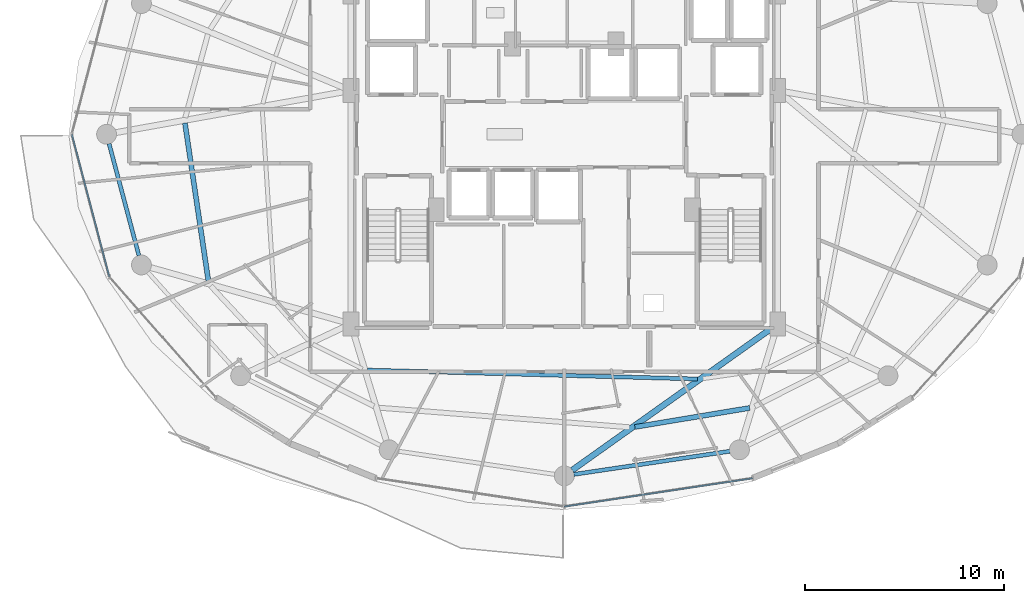
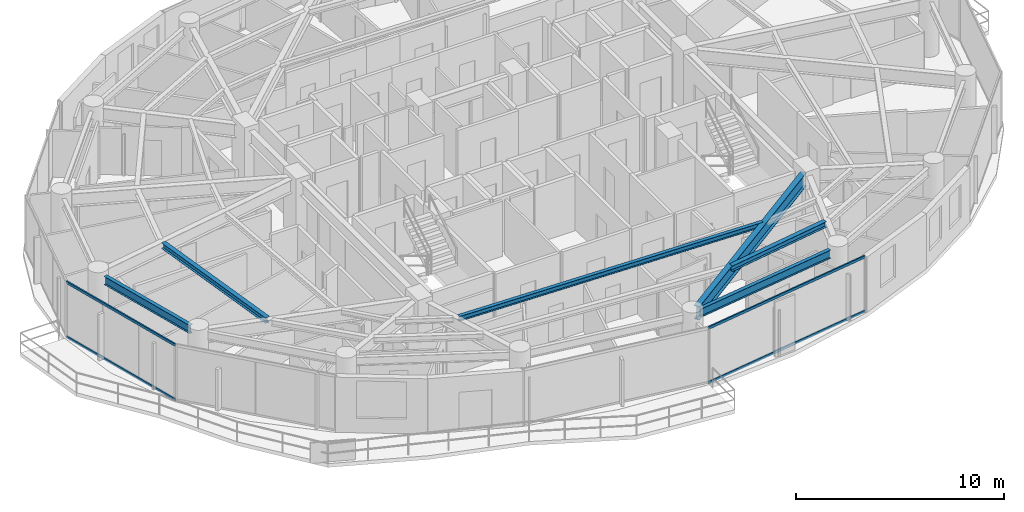
# One storey, part 5 of 28: 6 beams, 4 members, 2 elements without a shape of their own.
"""IFC4 building model written with IfcOpenShell, lengths in metres."""

from ifc_helpers import new_model, si_unit, direction, frame, origin, origin_2d, place, context, subcontext, project, spatial, hollow_rectangle, i_section, extrude, material, material_profile, profile_set, type_object, element, aggregate, save


model = new_model("IFC4")

# Units and contexts
model_context = context("Model", 3, precision=1e-05, world=origin(), true_north=direction((0.0, 1.0)))
body_context = subcontext(model_context, "Body", "Model", "MODEL_VIEW")
ifc_project = project(units=[si_unit("LENGTHUNIT", "METRE"), si_unit("AREAUNIT", "SQUARE_METRE"), si_unit("VOLUMEUNIT", "CUBIC_METRE"), si_unit("PLANEANGLEUNIT", "RADIAN"), si_unit("MASSUNIT", "GRAM", prefix="KILO")], contexts=[model_context])

# Site, building, storey
site_placement = place(None, origin())
site = spatial("IfcSite", under=ifc_project, at=site_placement, CompositionType="ELEMENT")
building_placement = place(site_placement, origin())
building = spatial("IfcBuilding", under=site, at=building_placement, Name="Vorneva Point Tower", CompositionType="ELEMENT")
storey_placement = place(building_placement, frame((0.0, 0.0, 160.60009765625)))
storey = spatial("IfcBuildingStorey", under=building, at=storey_placement, Name="L43", CompositionType="ELEMENT", Elevation=160.60009765625)

# Beams
ifc_material_1 = material(Name="Steel S355", Category="steel")
ifc_material_profile_1 = material_profile(ifc_material_1, i_section(OverallWidth=0.300048828125, OverallDepth=0.7880859375, WebThickness=0.014404296875, FlangeThickness=0.02197265625, at=origin_2d()), Name="80Sh1")
ifc_profile_set_1 = profile_set([ifc_material_profile_1], Name="Steel S355")
beam_type_1 = type_object("IfcBeamType", Name="BM-GRD-80Sh1", PredefinedType="USERDEFINED", material=ifc_profile_set_1)
beam_1_placement = place(storey_placement, frame((38.397705078125, 9.0830078125, 2.845947265625), z_axis=(0.814751382529, 0.579810473057, 0.0), x_axis=(-0.579810473057, 0.814751382529, 0.0)))
element("IfcBeam", 1, at=beam_1_placement, inside=storey, type_object=beam_type_1, Name="L43 Radial Primary Girder 13", ObjectType="GIRDER", PredefinedType="USERDEFINED", context=body_context, shape_type="SweptSolid", body=[
    extrude(i_section(OverallWidth=0.300048828125, OverallDepth=0.7880859375, WebThickness=0.014404296875, FlangeThickness=0.02197265625, at=origin_2d()), origin(), (0.0, 0.0, 1.0), 12.365966796875),
])
ifc_material_profile_2 = material_profile(ifc_material_1, i_section(OverallWidth=0.199951171875, OverallDepth=0.291015625, WebThickness=0.008056640625, FlangeThickness=0.010986328125, at=origin_2d()), Name="30Sh1")
ifc_profile_set_2 = profile_set([ifc_material_profile_2], Name="Steel S355")
beam_type_2 = type_object("IfcBeamType", Name="BM-SEC-30Sh1", PredefinedType="BEAM", material=ifc_profile_set_2)
beam_2_placement = place(storey_placement, frame((28.0947265625, 14.12353515625, 3.094482421875), z_axis=(0.999636212652, -0.02697113929, 0.0), x_axis=(0.02697113929, 0.999636212652, 0.0)))
element("IfcBeam", 2, at=beam_2_placement, inside=storey, type_object=beam_type_2, Name="L43 Secondary Floor Beam 2.12", PredefinedType="BEAM", context=body_context, shape_type="SweptSolid", body=[
    extrude(i_section(OverallWidth=0.199951171875, OverallDepth=0.291015625, WebThickness=0.008056640625, FlangeThickness=0.010986328125, at=origin_2d()), origin(), (0.0, 0.0, 1.0), 16.619384765625),
])
ifc_material_profile_3 = material_profile(ifc_material_1, i_section(OverallWidth=0.2490234375, OverallDepth=0.333984375, WebThickness=0.008056640625, FlangeThickness=0.010986328125, at=origin_2d()), Name="35Sh1")
ifc_profile_set_3 = profile_set([ifc_material_profile_3], Name="Steel S355")
beam_type_3 = type_object("IfcBeamType", Name="BM-SEC-35Sh1", PredefinedType="BEAM", material=ifc_profile_set_3)
beam_3_placement = place(storey_placement, frame((18.89599609375, 26.565673828125, 3.072998046875), z_axis=(0.146838688034, -0.989160451947, 0.0), x_axis=(0.989160451947, 0.146838688034, 0.0)))
element("IfcBeam", 3, at=beam_3_placement, inside=storey, type_object=beam_type_3, Name="L43 Secondary Floor Beam 1.09", PredefinedType="BEAM", context=body_context, shape_type="SweptSolid", body=[
    extrude(i_section(OverallWidth=0.2490234375, OverallDepth=0.333984375, WebThickness=0.008056640625, FlangeThickness=0.010986328125, at=origin_2d()), origin(), (0.0, 0.0, 1.0), 8.053955078125),
])
beam_4_placement = place(storey_placement, frame((41.556396484375, 11.256591796875, 3.072998046875), z_axis=(0.986432205362, 0.164169132986, 0.0), x_axis=(-0.164169132986, 0.986432205362, 0.0)))
element("IfcBeam", 4, at=beam_4_placement, inside=storey, type_object=beam_type_3, Name="L43 Secondary Floor Beam 1.13", PredefinedType="BEAM", context=body_context, shape_type="SweptSolid", body=[
    extrude(i_section(OverallWidth=0.2490234375, OverallDepth=0.333984375, WebThickness=0.008056640625, FlangeThickness=0.010986328125, at=origin_2d()), origin(), (0.0, 0.0, 1.0), 5.856201171875),
])
ifc_material_profile_4 = material_profile(ifc_material_1, i_section(OverallWidth=0.199951171875, OverallDepth=0.491943359375, WebThickness=0.0087890625, FlangeThickness=0.011962890625, at=origin_2d()), Name="50B1")
ifc_profile_set_4 = profile_set([ifc_material_profile_4], Name="Steel S355")
beam_type_4 = type_object("IfcBeamType", Name="BM-SPN-50B1", PredefinedType="SPANDREL", material=ifc_profile_set_4)
beam_5_placement = place(storey_placement, frame((15.074951171875, 25.531494140625, 2.993896484375), z_axis=(0.257550804648, -0.966264758245, 0.0), x_axis=(0.966264758245, 0.257550804648, 0.0)))
element("IfcBeam", 5, at=beam_5_placement, inside=storey, type_object=beam_type_4, Name="L43 Perimeter Spandrel Ring Beam 09", PredefinedType="SPANDREL", context=body_context, shape_type="SweptSolid", body=[
    extrude(i_section(OverallWidth=0.199951171875, OverallDepth=0.491943359375, WebThickness=0.0087890625, FlangeThickness=0.011962890625, at=origin_2d()), origin(), (0.0, 0.0, 1.0), 5.842041015625),
])
beam_6_placement = place(storey_placement, frame((38.479736328125, 8.87109375, 2.993896484375), z_axis=(0.989161199046, 0.146833655211, 0.0), x_axis=(-0.146833655211, 0.989161199046, 0.0)))
element("IfcBeam", 6, at=beam_6_placement, inside=storey, type_object=beam_type_4, Name="L43 Perimeter Spandrel Ring Beam 13", PredefinedType="SPANDREL", context=body_context, shape_type="SweptSolid", body=[
    extrude(i_section(OverallWidth=0.199951171875, OverallDepth=0.491943359375, WebThickness=0.0087890625, FlangeThickness=0.011962890625, at=origin_2d()), origin(), (0.0, 0.0, 1.0), 7.94775390625),
])

# Curtain wall, members
ifc_material_2 = material(Name="Pale anodised aluminium", Category="aluminium")
curtain_wall_type = type_object("IfcCurtainWallType", Name="CW-RES-SYS", PredefinedType="NOTDEFINED", material=ifc_material_2)
curtain_wall_1_placement = place(storey_placement, origin())
curtain_wall_1 = element("IfcCurtainWall", 7, at=curtain_wall_1_placement, inside=storey, type_object=curtain_wall_type, Name="L43 Unitised Curtain Wall CW-L43-R03", PredefinedType="NOTDEFINED")
ifc_material_profile_5 = material_profile(ifc_material_2, hollow_rectangle(XDim=0.074951171875, YDim=0.14990234375, WallThickness=0.00390625, at=origin_2d()), Name="AL-TRN 150x75x4")
ifc_profile_set_5 = profile_set([ifc_material_profile_5], Name="Pale anodised aluminium")
member_type = type_object("IfcMemberType", Name="CW-TRN-150", PredefinedType="USERDEFINED", material=ifc_profile_set_5)
member_1_placement = place(storey_placement, frame((13.199951171875, 26.0, 0.02001953125), z_axis=(0.254456046293, -0.967084339913, 0.0), x_axis=(0.967084339913, 0.254456046293, 0.0)))
member_1 = element("IfcMember", 8, at=member_1_placement, type_object=member_type, Name="CW-L43-R03 Transom 03.1", ObjectType="TRANSOM", PredefinedType="USERDEFINED", context=body_context, shape_type="SweptSolid", body=[
    extrude(hollow_rectangle(XDim=0.074951171875, YDim=0.14990234375, WallThickness=0.00390625, at=origin_2d()), origin(), (0.0, 0.0, 1.0), 7.41943359375),
])
member_2_placement = place(storey_placement, frame((13.199951171875, 26.0, 3.219970703125), z_axis=(0.254456046293, -0.967084339913, 0.0), x_axis=(0.967084339913, 0.254456046293, 0.0)))
member_2 = element("IfcMember", 9, at=member_2_placement, type_object=member_type, Name="CW-L43-R03 Transom 03.2", ObjectType="TRANSOM", PredefinedType="USERDEFINED", context=body_context, shape_type="SweptSolid", body=[
    extrude(hollow_rectangle(XDim=0.074951171875, YDim=0.14990234375, WallThickness=0.00390625, at=origin_2d()), origin(), (0.0, 0.0, 1.0), 7.41943359375),
])
aggregate(curtain_wall_1, [member_1, member_2])

curtain_wall_2_placement = place(storey_placement, origin())
curtain_wall_2 = element("IfcCurtainWall", 10, at=curtain_wall_2_placement, inside=storey, type_object=curtain_wall_type, Name="L43 Unitised Curtain Wall CW-L43-R04", PredefinedType="NOTDEFINED")
member_3_placement = place(storey_placement, frame((38.0, 7.25, 0.02001953125), z_axis=(0.988880117727, 0.148714870687, 0.0), x_axis=(-0.148714870687, 0.988880117727, 0.0)))
member_3 = element("IfcMember", 11, at=member_3_placement, type_object=member_type, Name="CW-L43-R04 Transom 02.1", ObjectType="TRANSOM", PredefinedType="USERDEFINED", context=body_context, shape_type="SweptSolid", body=[
    extrude(hollow_rectangle(XDim=0.074951171875, YDim=0.14990234375, WallThickness=0.00390625, at=origin_2d()), origin(), (0.0, 0.0, 1.0), 9.59716796875),
])
member_4_placement = place(storey_placement, frame((38.0, 7.25, 3.219970703125), z_axis=(0.988880117727, 0.148714870687, 0.0), x_axis=(-0.148714870687, 0.988880117727, 0.0)))
member_4 = element("IfcMember", 12, at=member_4_placement, type_object=member_type, Name="CW-L43-R04 Transom 02.2", ObjectType="TRANSOM", PredefinedType="USERDEFINED", context=body_context, shape_type="SweptSolid", body=[
    extrude(hollow_rectangle(XDim=0.074951171875, YDim=0.14990234375, WallThickness=0.00390625, at=origin_2d()), origin(), (0.0, 0.0, 1.0), 9.59716796875),
])
aggregate(curtain_wall_2, [member_3, member_4])

save(model, "model.ifc")
